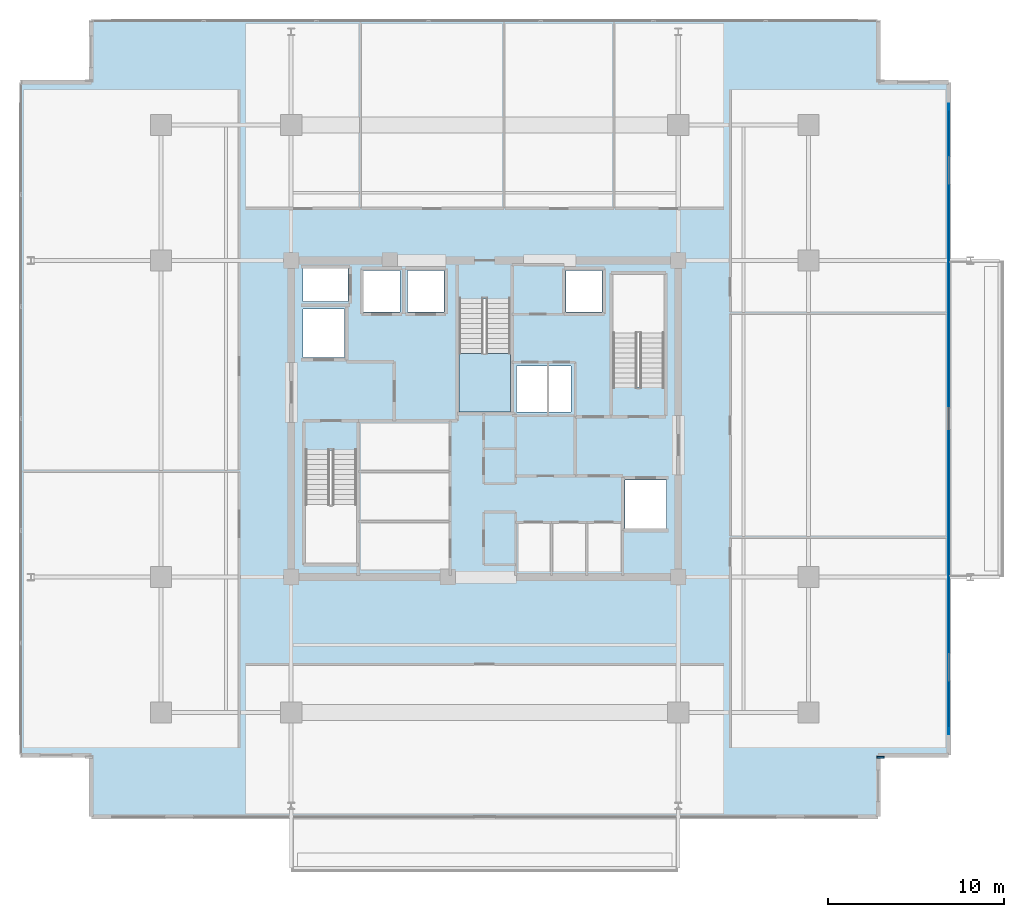
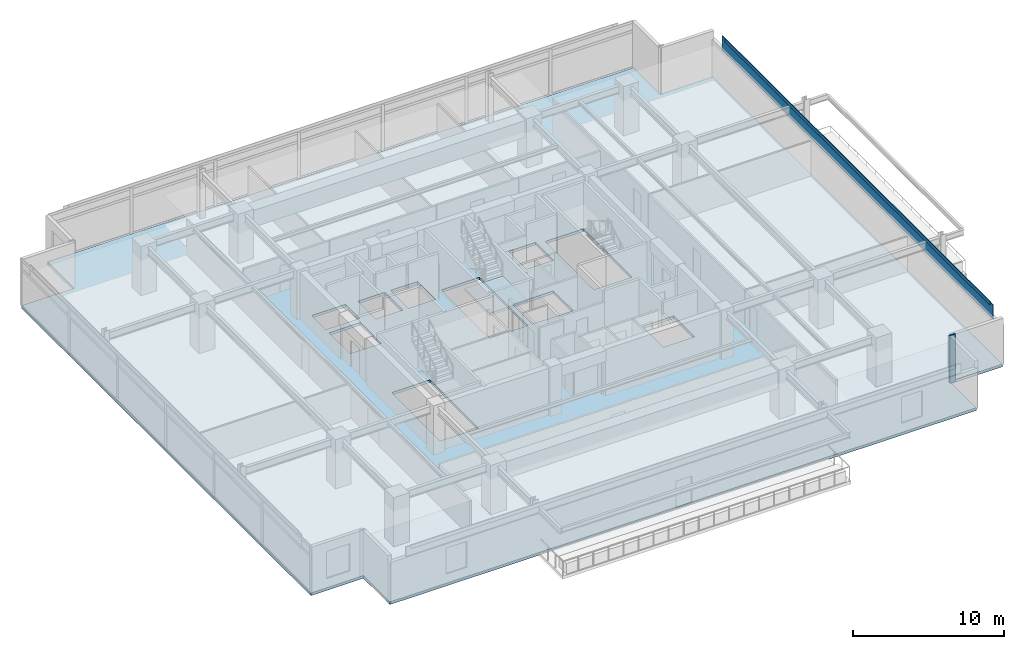
# One storey, part 14 of 24: 3 plates, 2 slabs, 1 element without a shape of its own.
"""IFC4 building model written with IfcOpenShell, lengths in metres."""

from ifc_helpers import new_model, si_unit, direction, frame, origin, origin_2d, place, context, subcontext, project, spatial, polyline, rectangle, outline, extrude, material, layer, layer_set, type_object, element, aggregate, save


model = new_model("IFC4")

# Units and contexts
model_context = context("Model", 3, precision=1e-05, world=origin(), true_north=direction((0.0, 1.0)))
body_context = subcontext(model_context, "Body", "Model", "MODEL_VIEW")
ifc_project = project(units=[si_unit("LENGTHUNIT", "METRE"), si_unit("AREAUNIT", "SQUARE_METRE"), si_unit("VOLUMEUNIT", "CUBIC_METRE"), si_unit("PLANEANGLEUNIT", "RADIAN"), si_unit("MASSUNIT", "GRAM", prefix="KILO")], contexts=[model_context])

# Site, building, storey
site_placement = place(None, origin())
site = spatial("IfcSite", under=ifc_project, at=site_placement, CompositionType="ELEMENT")
building_placement = place(site_placement, origin())
building = spatial("IfcBuilding", under=site, at=building_placement, Name="Kovane Verandah Tower", CompositionType="ELEMENT")
storey_placement = place(building_placement, frame((0.0, 0.0, 259.199951171875)))
storey = spatial("IfcBuildingStorey", under=building, at=storey_placement, Name="L60", CompositionType="ELEMENT", Elevation=259.199951171875)

# Plates
ifc_material_1 = material(Name="Timber-Toned Subtropical Aluminium Vertical Blade", Category="wood")
ifc_layer_1 = layer(ifc_material_1, 0.090087890625)
ifc_layer_set_1 = layer_set([ifc_layer_1], Name="Timber-Toned Subtropical Aluminium Vertical Blade")
plate_type_1 = type_object("IfcPlateType", Name="PL-FIN-90", PredefinedType="USERDEFINED", material=ifc_layer_set_1)
plate_1_placement = place(storey_placement, frame((62.486572265625, 8.26171875, -0.02001953125), z_axis=(0.0, 0.0, 1.0), x_axis=(1.0, 0.0, 0.0)))
element("IfcPlate", 1, at=plate_1_placement, inside=storey, type_object=plate_type_1, Name="L60 SE Timber-Toned Vertical Corner Fin", ObjectType="FIN", PredefinedType="USERDEFINED", context=body_context, shape_type="SweptSolid", body=[
    extrude(rectangle(XDim=0.419921875, YDim=0.090087890625, at=origin_2d()), origin(), (0.0, 0.0, 1.0), 3.844970703125),
])
ifc_material_2 = material(Name="Perforated Pale Champagne Anodised Aluminium Solar Screen", Category="aluminium")
ifc_layer_2 = layer(ifc_material_2, 0.050048828125)
ifc_layer_set_2 = layer_set([ifc_layer_2], Name="Perforated Pale Champagne Anodised Aluminium Solar Screen")
plate_type_2 = type_object("IfcPlateType", Name="PL-SCREEN-50", PredefinedType="USERDEFINED", material=ifc_layer_set_2)
plate_2_placement = place(storey_placement, frame((66.381591796875, 27.5, 2.885009765625), z_axis=(0.0, 0.0, 1.0), x_axis=(0.0, 1.0, 0.0)))
element("IfcPlate", 2, at=plate_2_placement, inside=storey, type_object=plate_type_2, Name="L60 E Perforated Champagne-Gold Solar Screen", ObjectType="SCREEN", PredefinedType="USERDEFINED", context=body_context, shape_type="SweptSolid", body=[
    extrude(rectangle(XDim=35.8359375, YDim=0.050048828125, at=origin_2d()), origin(), (0.0, 0.0, 1.0), 1.14990234375),
])
ifc_material_3 = material(Name="Extruded Pale-Bronze Aluminium Aerofoil Sunshade", Category="aluminium")
ifc_layer_3 = layer(ifc_material_3, 0.06005859375)
ifc_layer_set_3 = layer_set([ifc_layer_3], Name="Extruded Pale-Bronze Aluminium Aerofoil Sunshade")
plate_type_3 = type_object("IfcPlateType", Name="PL-SUNSHADE-60", PredefinedType="USERDEFINED", material=ifc_layer_set_3)
plate_3_placement = place(storey_placement, frame((66.386474609375, 27.5, 3.76513671875), z_axis=(0.0, 0.0, 1.0), x_axis=(0.0, 1.0, 0.0)))
element("IfcPlate", 3, at=plate_3_placement, inside=storey, type_object=plate_type_3, Name="L60 E Subtropical Aerofoil Sunshade", ObjectType="SUNSHADE", PredefinedType="USERDEFINED", context=body_context, shape_type="SweptSolid", body=[
    extrude(rectangle(XDim=35.035888671875, YDim=0.06005859375, at=origin_2d()), origin(), (0.0, 0.0, 1.0), 0.280029296875),
])

# Slab
ifc_material_4 = material(Name="Concrete C45/55", Category="concrete")
ifc_layer_4 = layer(ifc_material_4, 0.215087890625)
ifc_layer_set_4 = layer_set([ifc_layer_4], Name="Concrete C45/55")
slab_type_1 = type_object("IfcSlabType", Name="SL-HIGH-215", PredefinedType="FLOOR", material=ifc_layer_set_4)
slab_1_placement = place(storey_placement, frame((0.0, 0.0, -0.21484375)))
element("IfcSlab", 4, at=slab_1_placement, inside=storey, type_object=slab_type_1, Name="L60 Structural Floor Slab", PredefinedType="FLOOR", context=body_context, shape_type="SweptSolid", body=[
    extrude(outline(polyline([(17.633544921875, 4.8818359375), (62.366455078125, 4.8818359375), (62.366455078125, 8.3818359375), (66.366455078125, 8.3818359375), (66.366455078125, 46.6181640625), (62.366455078125, 46.6181640625), (62.366455078125, 50.1181640625), (17.633544921875, 50.1181640625), (17.633544921875, 46.6181640625), (13.633544921875, 46.6181640625), (13.633544921875, 8.3818359375), (17.633544921875, 8.3818359375), (17.633544921875, 4.8818359375)]), holes=[polyline([(29.800048828125, 19.300048828125), (32.719970703125, 19.300048828125), (32.719970703125, 25.705078125), (29.800048828125, 25.705078125), (29.800048828125, 19.300048828125)]), polyline([(47.280029296875, 29.294921875), (50.199951171875, 29.294921875), (50.199951171875, 35.699951171875), (47.280029296875, 35.699951171875), (47.280029296875, 29.294921875)]), polyline([(38.5400390625, 27.89990234375), (41.4599609375, 27.89990234375), (41.4599609375, 34.304931640625), (38.5400390625, 34.304931640625), (38.5400390625, 27.89990234375)]), polyline([(29.669921875, 30.969970703125), (32.030029296875, 30.969970703125), (32.030029296875, 33.72998046875), (29.669921875, 33.72998046875), (29.669921875, 30.969970703125)]), polyline([(47.969970703125, 21.27001953125), (50.330078125, 21.27001953125), (50.330078125, 24.030029296875), (47.969970703125, 24.030029296875), (47.969970703125, 21.27001953125)]), polyline([(29.669921875, 34.169921875), (32.22998046875, 34.169921875), (32.22998046875, 36.030029296875), (29.669921875, 36.030029296875), (29.669921875, 34.169921875)]), polyline([(33.1201171875, 33.570068359375), (35.179931640625, 33.570068359375), (35.179931640625, 35.929931640625), (33.1201171875, 35.929931640625), (33.1201171875, 33.570068359375)]), polyline([(35.6201171875, 33.570068359375), (37.679931640625, 33.570068359375), (37.679931640625, 35.929931640625), (35.6201171875, 35.929931640625), (35.6201171875, 33.570068359375)]), polyline([(44.6201171875, 33.570068359375), (46.679931640625, 33.570068359375), (46.679931640625, 35.929931640625), (44.6201171875, 35.929931640625), (44.6201171875, 33.570068359375)]), polyline([(41.800048828125, 27.89990234375), (44.89990234375, 27.89990234375), (44.89990234375, 30.5), (41.800048828125, 30.5), (41.800048828125, 27.89990234375)])]), origin(), (0.0, 0.0, 1.0), 0.21484375),
])

# Stair, slab
stair_type = type_object("IfcStairType", Name="ST-CORE-1380", PredefinedType="HALF_TURN_STAIR", material=ifc_material_4)
stair_placement = place(storey_placement, origin())
stair = element("IfcStair", 5, at=stair_placement, inside=storey, type_object=stair_type, Name="L60 Exit Stair ST-03", PredefinedType="HALF_TURN_STAIR")
ifc_layer_5 = layer(ifc_material_4, 0.199951171875)
ifc_layer_set_5 = layer_set([ifc_layer_5], Name="Concrete C45/55")
slab_type_2 = type_object("IfcSlabType", Name="SL-LAND-200", PredefinedType="LANDING", material=ifc_layer_set_5)
slab_2_placement = place(storey_placement, frame((0.0, 0.0, 1.800048828125)))
slab_2 = element("IfcSlab", 6, at=slab_2_placement, type_object=slab_type_2, Name="ST-03 landing 1", PredefinedType="LANDING", context=body_context, shape_type="SweptSolid", body=[
    extrude(outline(polyline([(38.5400390625, 31.215087890625), (38.5400390625, 27.89990234375), (41.4599609375, 27.89990234375), (41.4599609375, 31.215087890625), (38.5400390625, 31.215087890625)])), origin(), (0.0, 0.0, 1.0), 0.199951171875),
])
aggregate(stair, [slab_2])

save(model, "model.ifc")
